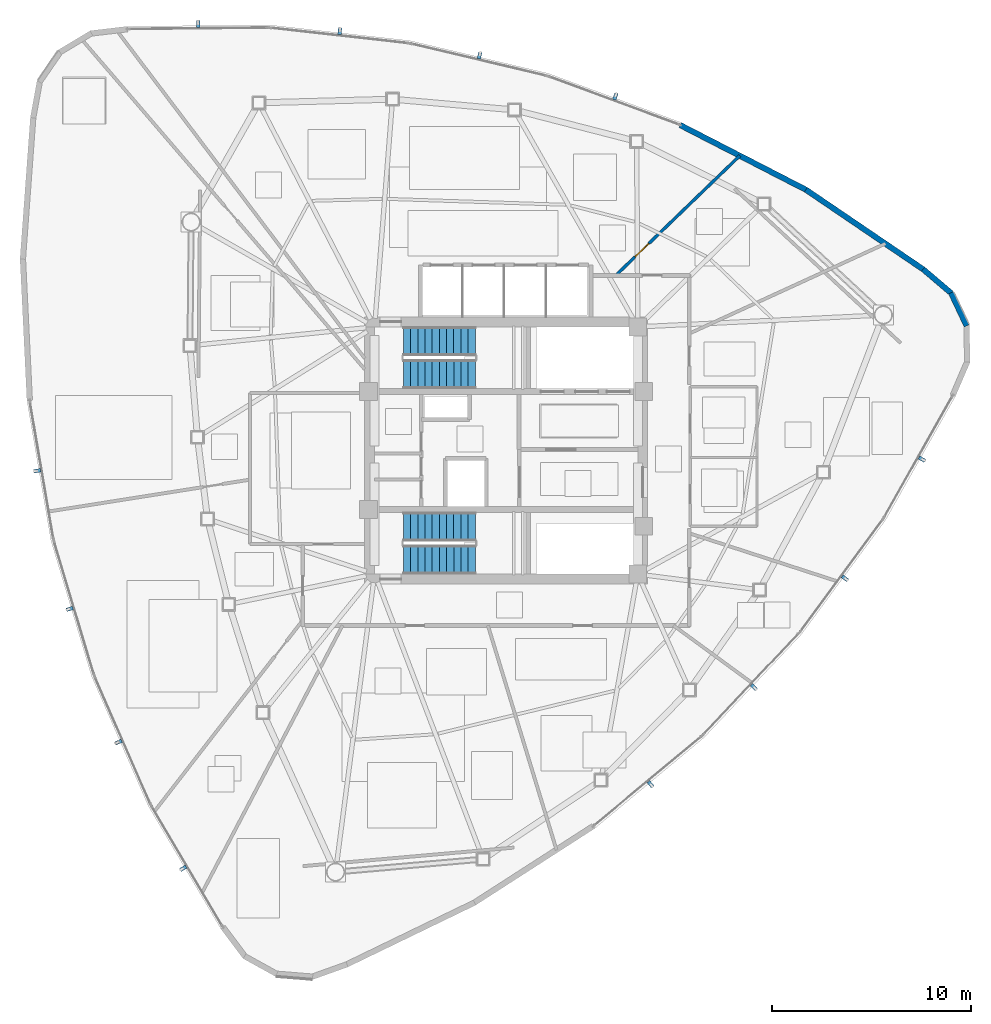
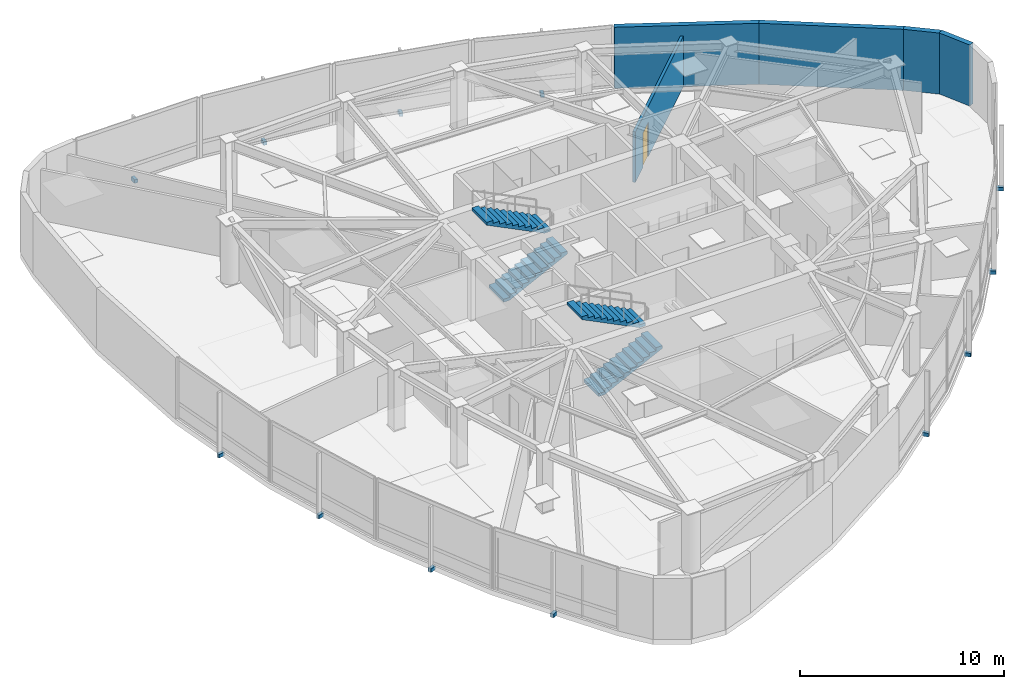
# One storey, part 12 of 15: 12 discrete accessories, 5 walls, 4 stair flights, 1 door, 1 opening, 2 elements without a shape of their own.
"""IFC4 building model written with IfcOpenShell, lengths in metres."""

from ifc_helpers import new_model, si_unit, direction, frame, frame_2d, origin, origin_2d, place, context, subcontext, project, spatial, polyline, rectangle, outline, extrude, source, transform, mapped, material, layer, layer_set, type_object, type_shapes, element, fill, aggregate, save


model = new_model("IFC4")

# Units and contexts
model_context = context("Model", 3, precision=1e-05, world=origin(), true_north=direction((0.0, 1.0)))
body_context = subcontext(model_context, "Body", "Model", "MODEL_VIEW")
ifc_project = project(units=[si_unit("LENGTHUNIT", "METRE"), si_unit("AREAUNIT", "SQUARE_METRE"), si_unit("VOLUMEUNIT", "CUBIC_METRE"), si_unit("PLANEANGLEUNIT", "RADIAN"), si_unit("MASSUNIT", "GRAM", prefix="KILO")], contexts=[model_context])

# Site, building, storey
site_placement = place(None, origin())
site = spatial("IfcSite", under=ifc_project, at=site_placement, CompositionType="ELEMENT")
building_placement = place(site_placement, origin())
building = spatial("IfcBuilding", under=site, at=building_placement, Name="Tavelor Broadcast Tower", CompositionType="ELEMENT")
storey_placement = place(building_placement, frame((0.0, 0.0, 222.14990234375)))
storey = spatial("IfcBuildingStorey", under=building, at=storey_placement, Name="L52", CompositionType="ELEMENT", Elevation=222.14990234375)

# Walls
ifc_material_1 = material(Name="Precast Concrete C40/50", Category="concrete")
ifc_layer_1 = layer(ifc_material_1, 0.280029296875)
ifc_layer_set_1 = layer_set([ifc_layer_1], Name="Precast Concrete C40/50")
wall_type_1 = type_object("IfcWallType", Name="Insulated Precast Terracotta Facade Wall 280 mm", PredefinedType="STANDARD", material=ifc_layer_set_1)
wall_1_placement = place(storey_placement, frame((73.102294921875, 51.247802734375, 0.0), z_axis=(0.0, 0.0, 1.0), x_axis=(-0.428006498502, 0.903775656477, 0.0)))
element("IfcWall", 1, at=wall_1_placement, inside=storey, type_object=wall_type_1, Name="L52 Rounded Corner Structural Cladding Pier 23", PredefinedType="STANDARD", context=body_context, shape_type="SweptSolid", body=[
    extrude(rectangle(XDim=1.840087890625, YDim=0.280029296875, at=frame_2d((0.919921875, 0.0))), origin(), (0.0, 0.0, 1.0), 3.650146484375),
])
wall_2_placement = place(storey_placement, frame((72.33251953125, 52.887451171875, 0.0), z_axis=(0.0, 0.0, 1.0), x_axis=(-0.762117143342, 0.647439155307, 0.0)))
element("IfcWall", 2, at=wall_2_placement, inside=storey, type_object=wall_type_1, Name="L52 Rounded Corner Structural Cladding Pier 24", PredefinedType="STANDARD", context=body_context, shape_type="SweptSolid", body=[
    extrude(rectangle(XDim=1.86279296875, YDim=0.280029296875, at=frame_2d((0.931396484375, 0.0))), origin(), (0.0, 0.0, 1.0), 3.650146484375),
])
wall_3_placement = place(storey_placement, frame((70.936767578125, 54.0751953125, 0.0), z_axis=(0.0, 0.0, 1.0), x_axis=(-0.827312732956, 0.561741614881, 0.0)))
element("IfcWall", 3, at=wall_3_placement, inside=storey, type_object=wall_type_1, Name="L52 Rounded Corner Structural Cladding Pier 25", PredefinedType="STANDARD", context=body_context, shape_type="SweptSolid", body=[
    extrude(rectangle(XDim=7.1328125, YDim=0.280029296875, at=frame_2d((3.56640625, 0.0))), origin(), (0.0, 0.0, 1.0), 3.650146484375),
])
wall_4_placement = place(storey_placement, frame((65.061279296875, 58.06689453125, 0.0), z_axis=(0.0, 0.0, 1.0), x_axis=(-0.889204120168, 0.457510691325, 0.0)))
element("IfcWall", 4, at=wall_4_placement, inside=storey, type_object=wall_type_1, Name="L52 Rounded Corner Structural Cladding Pier 26", PredefinedType="STANDARD", context=body_context, shape_type="SweptSolid", body=[
    extrude(rectangle(XDim=7.120849609375, YDim=0.280029296875, at=frame_2d((3.560546875, 0.0))), origin(), (0.0, 0.0, 1.0), 3.650146484375),
])

# Wall, opening, door
ifc_material_2 = material(Name="Gypsum Acoustic Plasterboard 150 mm", Category="gypsum")
ifc_layer_2 = layer(ifc_material_2, 0.14990234375)
ifc_layer_set_2 = layer_set([ifc_layer_2], Name="Gypsum Acoustic Plasterboard 150 mm")
wall_type_2 = type_object("IfcWallType", Name="Interior Acoustic Partition Wall 150 mm", PredefinedType="PARTITIONING", material=ifc_layer_set_2)
wall_5_placement = place(storey_placement, frame((55.4951171875, 53.780029296875, 0.0), z_axis=(0.0, 0.0, 1.0), x_axis=(0.719458295386, 0.694535644298, 0.0)))
wall_5 = element("IfcWall", 5, at=wall_5_placement, inside=storey, type_object=wall_type_2, Name="L52 Radial Compartment Wall 05", PredefinedType="PARTITIONING", context=body_context, shape_type="SweptSolid", body=[
    extrude(rectangle(XDim=8.65966796875, YDim=0.14990234375, at=frame_2d((4.329833984375, 0.0))), origin(), (0.0, 0.0, 1.0), 3.025146484375),
])
opening_placement = place(wall_5_placement, frame((1.35009765625, 0.0, 0.0)))
opening = element("IfcOpeningElement", 6, at=opening_placement, cuts=wall_5, Name="Opening DR18", PredefinedType="OPENING", context=body_context, shape_type="SweptSolid", body=[
    extrude(rectangle(XDim=0.949951171875, YDim=2.050048828125, at=frame_2d((0.47509765625, 1.02490234375))), frame((0.0, 0.0849609375, 0.0), z_axis=(0.0, -1.0, 0.0), x_axis=(1.0, 0.0, 0.0)), (0.0, 0.0, 1.0), 0.169921875),
])
ifc_material_3 = material(Name="Timber Solid Core Hardwood", Category="wood")
door_type = type_object("IfcDoorType", Name="Corridor Rated Compartment Door 950x2050", OperationType="NOTDEFINED", PredefinedType="DOOR", material=ifc_material_3)
door_placement = place(opening_placement, origin())
door = element("IfcDoor", 7, at=door_placement, inside=storey, type_object=door_type, Name="L52 Suite Connecting Door 9", OperationType="SINGLE_SWING_LEFT", OverallHeight=2.050048828125, OverallWidth=0.949951171875, PredefinedType="DOOR", context=body_context, shape_type="SweptSolid", body=[
    extrude(rectangle(XDim=0.949951171875, YDim=2.050048828125, at=frame_2d((0.47509765625, 1.02490234375))), frame((0.0, 0.02490234375, 0.0), z_axis=(0.0, -1.0, 0.0), x_axis=(1.0, 0.0, 0.0)), (0.0, 0.0, 1.0), 0.050048828125),
])
fill(opening, door)

# Stair, stair flights
ifc_material_4 = material(Name="Concrete C40/50", Category="concrete")
stair_type = type_object("IfcStairType", Name="Reinforced Concrete Protected Dogleg Stair 1450 mm", PredefinedType="HALF_TURN_STAIR", material=ifc_material_4)
stair_1_placement = place(storey_placement, origin())
stair_1 = element("IfcStair", 8, at=stair_1_placement, inside=storey, type_object=stair_type, Name="L52 Protected Core Exit Stair ST1", PredefinedType="HALF_TURN_STAIR")
stair_flight_type = type_object("IfcStairFlightType", Name="Reinforced Concrete Stair Flight 1450 mm", PredefinedType="STRAIGHT", material=ifc_material_4)
stair_flight_1_placement = place(storey_placement, frame((44.85009765625, 48.824951171875, 0.0), z_axis=(0.0, 0.0, 1.0), x_axis=(1.0, 0.0, 0.0)))
stair_flight_1 = element("IfcStairFlight", 9, at=stair_flight_1_placement, type_object=stair_flight_type, Name="ST1 flight 1", NumberOfRisers=11, NumberOfTreads=10, PredefinedType="STRAIGHT", RiserHeight=0.179545455, TreadLength=0.36, context=body_context, shape_type="SweptSolid", body=[
    extrude(outline(polyline([(0.0, 0.0), (0.0, 0.179443359375), (0.360107421875, 0.179443359375), (0.360107421875, 0.359130859375), (0.719970703125, 0.359130859375), (0.719970703125, 0.53857421875), (1.080078125, 0.53857421875), (1.080078125, 0.71826171875), (1.43994140625, 0.71826171875), (1.43994140625, 0.897705078125), (1.800048828125, 0.897705078125), (1.800048828125, 1.077392578125), (2.159912109375, 1.077392578125), (2.159912109375, 1.2568359375), (2.52001953125, 1.2568359375), (2.52001953125, 1.436279296875), (2.8798828125, 1.436279296875), (2.8798828125, 1.615966796875), (3.239990234375, 1.615966796875), (3.239990234375, 1.79541015625), (3.60009765625, 1.79541015625), (3.60009765625, 1.97509765625), (3.60009765625, 1.6279296875), (0.3359375, 0.0), (0.0, 0.0)])), frame((0.0, 0.72509765625, 0.0), z_axis=(0.0, -1.0, 0.0), x_axis=(1.0, 0.0, 0.0)), (0.0, 0.0, 1.0), 1.449951171875),
])
stair_flight_2_placement = place(storey_placement, frame((48.449951171875, 50.47509765625, 1.97509765625), z_axis=(0.0, 0.0, 1.0), x_axis=(-1.0, 0.0, 0.0)))
stair_flight_2 = element("IfcStairFlight", 10, at=stair_flight_2_placement, type_object=stair_flight_type, Name="ST1 flight 2", NumberOfRisers=11, NumberOfTreads=10, PredefinedType="STRAIGHT", RiserHeight=0.179545455, TreadLength=0.36, context=body_context, shape_type="SweptSolid", body=[
    extrude(outline(polyline([(0.0, 0.0), (0.0, 0.179443359375), (0.360107421875, 0.179443359375), (0.360107421875, 0.359130859375), (0.719970703125, 0.359130859375), (0.719970703125, 0.53857421875), (1.080078125, 0.53857421875), (1.080078125, 0.71826171875), (1.43994140625, 0.71826171875), (1.43994140625, 0.897705078125), (1.800048828125, 0.897705078125), (1.800048828125, 1.077392578125), (2.159912109375, 1.077392578125), (2.159912109375, 1.2568359375), (2.52001953125, 1.2568359375), (2.52001953125, 1.436279296875), (2.8798828125, 1.436279296875), (2.8798828125, 1.615966796875), (3.239990234375, 1.615966796875), (3.239990234375, 1.79541015625), (3.60009765625, 1.79541015625), (3.60009765625, 1.97509765625), (3.60009765625, 1.6279296875), (0.3359375, 0.0), (0.0, 0.0)])), frame((0.0, 0.72509765625, 0.0), z_axis=(0.0, -1.0, 0.0), x_axis=(1.0, 0.0, 0.0)), (0.0, 0.0, 1.0), 1.449951171875),
])
aggregate(stair_1, [stair_flight_1, stair_flight_2])

stair_2_placement = place(storey_placement, origin())
stair_2 = element("IfcStair", 11, at=stair_2_placement, inside=storey, type_object=stair_type, Name="L52 Protected Core Exit Stair ST2", PredefinedType="HALF_TURN_STAIR")
stair_flight_3_placement = place(storey_placement, frame((44.85009765625, 39.52490234375, 0.0), z_axis=(0.0, 0.0, 1.0), x_axis=(1.0, 0.0, 0.0)))
stair_flight_3 = element("IfcStairFlight", 12, at=stair_flight_3_placement, type_object=stair_flight_type, Name="ST2 flight 1", NumberOfRisers=11, NumberOfTreads=10, PredefinedType="STRAIGHT", RiserHeight=0.179545455, TreadLength=0.36, context=body_context, shape_type="SweptSolid", body=[
    extrude(outline(polyline([(0.0, 0.0), (0.0, 0.179443359375), (0.360107421875, 0.179443359375), (0.360107421875, 0.359130859375), (0.719970703125, 0.359130859375), (0.719970703125, 0.53857421875), (1.080078125, 0.53857421875), (1.080078125, 0.71826171875), (1.43994140625, 0.71826171875), (1.43994140625, 0.897705078125), (1.800048828125, 0.897705078125), (1.800048828125, 1.077392578125), (2.159912109375, 1.077392578125), (2.159912109375, 1.2568359375), (2.52001953125, 1.2568359375), (2.52001953125, 1.436279296875), (2.8798828125, 1.436279296875), (2.8798828125, 1.615966796875), (3.239990234375, 1.615966796875), (3.239990234375, 1.79541015625), (3.60009765625, 1.79541015625), (3.60009765625, 1.97509765625), (3.60009765625, 1.6279296875), (0.3359375, 0.0), (0.0, 0.0)])), frame((0.0, 0.72509765625, 0.0), z_axis=(0.0, -1.0, 0.0), x_axis=(1.0, 0.0, 0.0)), (0.0, 0.0, 1.0), 1.449951171875),
])
stair_flight_4_placement = place(storey_placement, frame((48.449951171875, 41.175048828125, 1.97509765625), z_axis=(0.0, 0.0, 1.0), x_axis=(-1.0, 0.0, 0.0)))
stair_flight_4 = element("IfcStairFlight", 13, at=stair_flight_4_placement, type_object=stair_flight_type, Name="ST2 flight 2", NumberOfRisers=11, NumberOfTreads=10, PredefinedType="STRAIGHT", RiserHeight=0.179545455, TreadLength=0.36, context=body_context, shape_type="SweptSolid", body=[
    extrude(outline(polyline([(0.0, 0.0), (0.0, 0.179443359375), (0.360107421875, 0.179443359375), (0.360107421875, 0.359130859375), (0.719970703125, 0.359130859375), (0.719970703125, 0.53857421875), (1.080078125, 0.53857421875), (1.080078125, 0.71826171875), (1.43994140625, 0.71826171875), (1.43994140625, 0.897705078125), (1.800048828125, 0.897705078125), (1.800048828125, 1.077392578125), (2.159912109375, 1.077392578125), (2.159912109375, 1.2568359375), (2.52001953125, 1.2568359375), (2.52001953125, 1.436279296875), (2.8798828125, 1.436279296875), (2.8798828125, 1.615966796875), (3.239990234375, 1.615966796875), (3.239990234375, 1.79541015625), (3.60009765625, 1.79541015625), (3.60009765625, 1.97509765625), (3.60009765625, 1.6279296875), (0.3359375, 0.0), (0.0, 0.0)])), frame((0.0, 0.72509765625, 0.0), z_axis=(0.0, -1.0, 0.0), x_axis=(1.0, 0.0, 0.0)), (0.0, 0.0, 1.0), 1.449951171875),
])
aggregate(stair_2, [stair_flight_3, stair_flight_4])

# Discrete accessories
ifc_material_5 = material(Name="Steel S355", Category="steel")
discrete_accessory_type = type_object("IfcDiscreteAccessoryType", Name="Stainless Baguette Outrigger Support Bracket 260x180", PredefinedType="BRACKET", material=ifc_material_5)
shared_shape = source(origin(), body_context, "Body", "SweptSolid", [
    extrude(rectangle(XDim=0.179931640625, YDim=0.340087890625, at=origin_2d()), origin(), (0.0, 0.0, 1.0), 0.216064453125),
])
type_shapes(discrete_accessory_type, [shared_shape])
for number, where, z_axis, x_axis, name in (
    (14, (26.48046875, 43.982177734375, -0.2578125), (0.0, 0.0, 1.0), (0.168833444713, -0.985644595149, 0.0), "L52 Baguette Outrigger Bracket 529"),
    (15, (28.10546875, 37.0546875, -0.2578125), (0.0, 0.0, 1.0), (0.287026159226, -0.957922744234, 0.0), "L52 Baguette Outrigger Bracket 530"),
    (16, (30.556640625, 30.374755859375, -0.2578125), (0.0, 0.0, 1.0), (0.400828784059, -0.916152981696, 0.0), "L52 Baguette Outrigger Bracket 531"),
    (17, (33.798095703125, 24.04052734375, -0.2578125), (0.0, 0.0, 1.0), (0.508740929096, -0.860919663536, 0.0), "L52 Baguette Outrigger Bracket 532"),
    (18, (57.2412109375, 28.258056640625, -0.2578125), (0.0, 0.0, 1.0), (0.769176536145, 0.639036349704, 0.0), "L52 Baguette Outrigger Bracket 533"),
    (19, (62.427978515625, 33.12890625, -0.2578125), (0.0, 0.0, 1.0), (0.686072351756, 0.727533317557, 0.0), "L52 Baguette Outrigger Bracket 534"),
    (20, (66.987548828125, 38.591796875, -0.2578125), (0.0, 0.0, 1.0), (0.592997363872, 0.805204400411, 0.0), "L52 Baguette Outrigger Bracket 535"),
    (21, (70.852294921875, 44.566162109375, -0.2578125), (0.0, 0.0, 1.0), (0.491207834691, 0.87104240031, 0.0), "L52 Baguette Outrigger Bracket 536"),
    (22, (55.478271484375, 62.759765625, -0.2578125), (0.0, 0.0, 1.0), (-0.938009980858, 0.346608245445, 0.0), "L52 Baguette Outrigger Bracket 537"),
    (23, (48.66650390625, 64.81640625, -0.2578125), (0.0, 0.0, 1.0), (-0.973098510982, 0.230389426677, 0.0), "L52 Baguette Outrigger Bracket 538"),
    (24, (41.656005859375, 66.033447265625, -0.2578125), (0.0, 0.0, 1.0), (-0.993826147931, 0.110948581284, 0.0), "L52 Baguette Outrigger Bracket 539"),
    (25, (34.549560546875, 66.393310546875, -0.2578125), (0.0, 0.0, 1.0), (-0.999948763788, -0.010122736774, 0.0), "L52 Baguette Outrigger Bracket 540"),
):
    element("IfcDiscreteAccessory", number, at=place(storey_placement, frame(where, z_axis=z_axis, x_axis=x_axis)), inside=storey, type_object=discrete_accessory_type, Name=name, PredefinedType="BRACKET", context=body_context, shape_type="MappedRepresentation", body=[
        mapped(shared_shape, transform((0.0, 0.0, 0.0), scale=1.0)),
    ])

save(model, "model.ifc")
